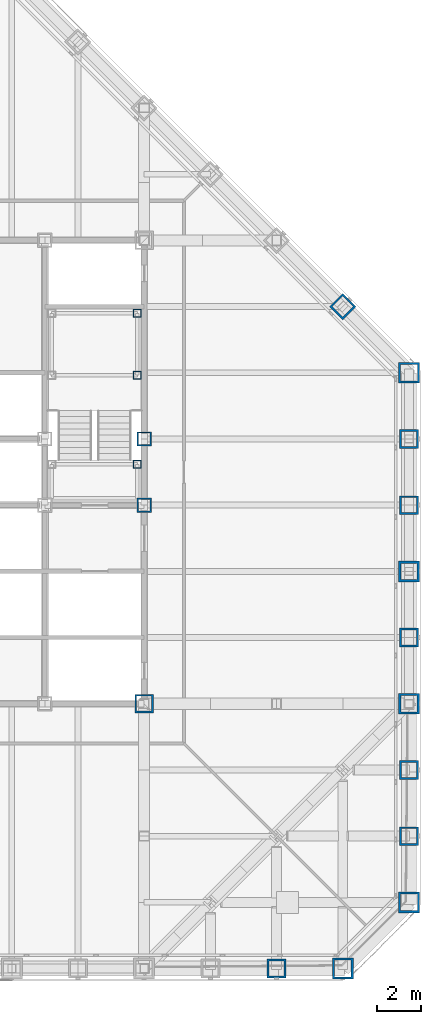
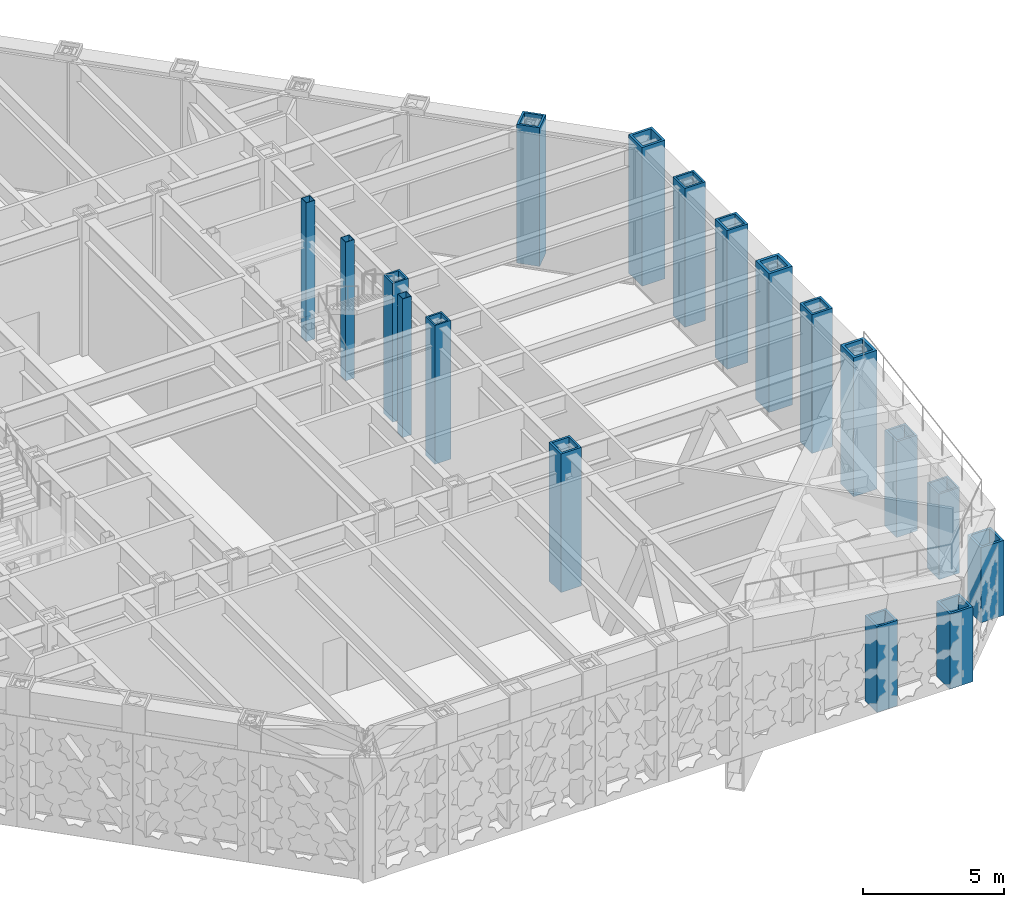
# One storey, part 2 of 28: 18 columns.
"""IFC4 building model written with IfcOpenShell, lengths in metres."""

from ifc_helpers import new_model, si_unit, direction, frame, origin, origin_2d, place, context, subcontext, project, spatial, hollow_rectangle, extrude, material, material_profile, profile_set, type_object, element, save


model = new_model("IFC4")

# Units and contexts
model_context = context("Model", 3, precision=1e-05, world=origin(), true_north=direction((0.0, 1.0)))
body_context = subcontext(model_context, "Body", "Model", "MODEL_VIEW")
ifc_project = project(units=[si_unit("LENGTHUNIT", "METRE"), si_unit("AREAUNIT", "SQUARE_METRE"), si_unit("VOLUMEUNIT", "CUBIC_METRE"), si_unit("PLANEANGLEUNIT", "RADIAN"), si_unit("MASSUNIT", "GRAM", prefix="KILO")], contexts=[model_context])

# Site, building, storey
site_placement = place(None, origin())
site = spatial("IfcSite", under=ifc_project, at=site_placement, CompositionType="ELEMENT")
building_placement = place(site_placement, origin())
building = spatial("IfcBuilding", under=site, at=building_placement, Name="Chuquiago Exchange Tower", CompositionType="ELEMENT")
storey_placement = place(building_placement, frame((0.0, 0.0, 174.0)))
storey = spatial("IfcBuildingStorey", under=building, at=storey_placement, Name="L38", CompositionType="ELEMENT", Elevation=174.0)

# Columns
ifc_material_1 = material(Name="Steel ASTM A572 Grade 50", Category="steel")
ifc_material_profile_1 = material_profile(ifc_material_1, hollow_rectangle(XDim=0.85009765625, YDim=0.85009765625, WallThickness=0.0849609375, at=origin_2d()), Name="BOX850X850X85")
ifc_profile_set_1 = profile_set([ifc_material_profile_1], Name="Steel ASTM A572 Grade 50")
column_type_1 = type_object("IfcColumnType", Name="C6 BOX850X850X85", PredefinedType="COLUMN", material=ifc_profile_set_1)
for number, where, z_axis, x_axis, name in (
    (1, (39.0, 0.0, 0.0), (0.0, 0.0, 1.0), (0.0, -1.0, 0.0), "COL-L38-39_0"),
    (2, (45.0, 6.0, 0.0), (0.0, 0.0, 1.0), (1.0, 0.0, 0.0), "COL-L38-45_6"),
):
    element("IfcColumn", number, at=place(storey_placement, frame(where, z_axis=z_axis, x_axis=x_axis)), inside=storey, type_object=column_type_1, Name=name, PredefinedType="COLUMN", context=body_context, shape_type="SweptSolid", body=[
        extrude(hollow_rectangle(XDim=0.85009765625, YDim=0.85009765625, WallThickness=0.0849609375, at=origin_2d()), origin(), (0.0, 0.0, 1.0), 3.6982421875),
    ])
column_1_placement = place(storey_placement, frame((45.0, 9.0, 0.0), z_axis=(0.0, 0.0, 1.0), x_axis=(1.0, 0.0, 0.0)))
element("IfcColumn", 3, at=column_1_placement, inside=storey, type_object=column_type_1, Name="COL-L38-45_9", PredefinedType="COLUMN", context=body_context, shape_type="SweptSolid", body=[
    extrude(hollow_rectangle(XDim=0.85009765625, YDim=0.85009765625, WallThickness=0.0849609375, at=origin_2d()), origin(), (0.0, 0.0, 1.0), 4.149169921875),
])
for number, where, z_axis, x_axis, name in (
    (4, (45.0, 15.0, 0.0), (0.0, 0.0, 1.0), (1.0, 0.0, 0.0), "COL-L38-45_15"),
    (5, (45.0, 21.0, 0.0), (0.0, 0.0, 1.0), (1.0, 0.0, 0.0), "COL-L38-45_21"),
    (6, (45.0, 24.0, 0.0), (0.0, 0.0, 1.0), (1.0, 0.0, 0.0), "COL-L38-45_24"),
    (7, (42.0, 30.0, 0.0), (0.0, 0.0, 1.0), (0.707106781187, 0.707106781187, 0.0), "COL-L38-42_30"),
):
    element("IfcColumn", number, at=place(storey_placement, frame(where, z_axis=z_axis, x_axis=x_axis)), inside=storey, type_object=column_type_1, Name=name, PredefinedType="COLUMN", context=body_context, shape_type="SweptSolid", body=[
        extrude(hollow_rectangle(XDim=0.85009765625, YDim=0.85009765625, WallThickness=0.0849609375, at=origin_2d()), origin(), (0.0, 0.0, 1.0), 6.0),
    ])
ifc_material_2 = material(Name="Steel ASTM A572 Grade 50", Category="steel")
ifc_material_profile_2 = material_profile(ifc_material_2, hollow_rectangle(XDim=0.85009765625, YDim=0.85009765625, WallThickness=0.0849609375, at=origin_2d()), Name="BOX850X850X85")
ifc_profile_set_2 = profile_set([ifc_material_profile_2], Name="Steel ASTM A572 Grade 50")
column_type_2 = type_object("IfcColumnType", Name="CC6 BOX850X850X85", PredefinedType="COLUMN", material=ifc_profile_set_2)
column_2_placement = place(storey_placement, frame((33.0, 12.0, 0.0), z_axis=(0.0, 0.0, 1.0), x_axis=(1.0, 0.0, 0.0)))
element("IfcColumn", 8, at=column_2_placement, inside=storey, type_object=column_type_2, Name="CCOL-L38-33_12", PredefinedType="COLUMN", context=body_context, shape_type="SweptSolid", body=[
    extrude(hollow_rectangle(XDim=0.85009765625, YDim=0.85009765625, WallThickness=0.0849609375, at=origin_2d()), origin(), (0.0, 0.0, 1.0), 6.0),
])
ifc_material_3 = material(Name="Steel ASTM A572 Grade 50", Category="steel")
ifc_material_profile_3 = material_profile(ifc_material_3, hollow_rectangle(XDim=0.64990234375, YDim=0.64990234375, WallThickness=0.06494140625, at=origin_2d()), Name="BOX650X650X65")
ifc_profile_set_3 = profile_set([ifc_material_profile_3], Name="Steel ASTM A572 Grade 50")
column_type_3 = type_object("IfcColumnType", Name="CC7 BOX650X650X65", PredefinedType="COLUMN", material=ifc_profile_set_3)
for number, where, z_axis, x_axis, name in (
    (9, (33.0, 21.0, 0.0), (0.0, 0.0, 1.0), (1.0, 0.0, 0.0), "CCOL-L38-33_21"),
    (10, (33.0, 24.0, 0.0), (0.0, 0.0, 1.0), (1.0, 0.0, 0.0), "CCOL-L38-33_24"),
):
    element("IfcColumn", number, at=place(storey_placement, frame(where, z_axis=z_axis, x_axis=x_axis)), inside=storey, type_object=column_type_3, Name=name, PredefinedType="COLUMN", context=body_context, shape_type="SweptSolid", body=[
        extrude(hollow_rectangle(XDim=0.64990234375, YDim=0.64990234375, WallThickness=0.06494140625, at=origin_2d()), origin(), (0.0, 0.0, 1.0), 6.0),
    ])
ifc_material_4 = material(Name="Steel ASTM A572 Grade 50", Category="steel")
ifc_material_profile_4 = material_profile(ifc_material_4, hollow_rectangle(XDim=0.949951171875, YDim=0.949951171875, WallThickness=0.094970703125, at=origin_2d()), Name="BOX950X950X95")
ifc_profile_set_4 = profile_set([ifc_material_profile_4], Name="Steel ASTM A572 Grade 50")
column_type_4 = type_object("IfcColumnType", Name="CN1 BOX950X950X95", PredefinedType="COLUMN", material=ifc_profile_set_4)
for number, where, z_axis, x_axis, name in (
    (11, (42.0, 0.0, 0.0), (0.0, 0.0, 1.0), (0.0, -1.0, 0.0), "COL-L38-42_0"),
    (12, (45.0, 3.0, 0.0), (0.0, 0.0, 1.0), (1.0, 0.0, 0.0), "COL-L38-45_3"),
):
    element("IfcColumn", number, at=place(storey_placement, frame(where, z_axis=z_axis, x_axis=x_axis)), inside=storey, type_object=column_type_4, Name=name, PredefinedType="COLUMN", context=body_context, shape_type="SweptSolid", body=[
        extrude(hollow_rectangle(XDim=0.949951171875, YDim=0.949951171875, WallThickness=0.094970703125, at=origin_2d()), origin(), (0.0, 0.0, 1.0), 3.247314453125),
    ])
column_3_placement = place(storey_placement, frame((45.0, 27.0, 0.0), z_axis=(0.0, 0.0, 1.0), x_axis=(1.0, 0.0, 0.0)))
element("IfcColumn", 13, at=column_3_placement, inside=storey, type_object=column_type_4, Name="COL-L38-45_27", PredefinedType="COLUMN", context=body_context, shape_type="SweptSolid", body=[
    extrude(hollow_rectangle(XDim=0.949951171875, YDim=0.949951171875, WallThickness=0.094970703125, at=origin_2d()), origin(), (0.0, 0.0, 1.0), 6.0),
])
ifc_material_5 = material(Name="Steel ASTM A572 Grade 42", Category="steel")
ifc_material_profile_5 = material_profile(ifc_material_5, hollow_rectangle(XDim=0.949951171875, YDim=0.949951171875, WallThickness=0.110107421875, at=origin_2d()), Name="BOX950X950X110")
ifc_profile_set_5 = profile_set([ifc_material_profile_5], Name="Steel ASTM A572 Grade 42")
column_type_5 = type_object("IfcColumnType", Name="CT1 BOX950X950X110", PredefinedType="COLUMN", material=ifc_profile_set_5)
for number, where, z_axis, x_axis, name in (
    (14, (45.0, 12.0, 0.0), (0.0, 0.0, 1.0), (1.0, 0.0, 0.0), "COL-L38-45_12"),
    (15, (45.0, 18.0, 0.0), (0.0, 0.0, 1.0), (1.0, 0.0, 0.0), "COL-L38-45_18"),
):
    element("IfcColumn", number, at=place(storey_placement, frame(where, z_axis=z_axis, x_axis=x_axis)), inside=storey, type_object=column_type_5, Name=name, PredefinedType="COLUMN", context=body_context, shape_type="SweptSolid", body=[
        extrude(hollow_rectangle(XDim=0.949951171875, YDim=0.949951171875, WallThickness=0.110107421875, at=origin_2d()), origin(), (0.0, 0.0, 1.0), 6.0),
    ])
ifc_material_6 = material(Name="Steel ASTM A500 Grade C", Category="steel")
ifc_material_profile_6 = material_profile(ifc_material_6, hollow_rectangle(XDim=0.355712890625, YDim=0.355712890625, WallThickness=0.0146484375, at=origin_2d()), Name="HSS14X14X5/8")
ifc_profile_set_6 = profile_set([ifc_material_profile_6], Name="Steel ASTM A500 Grade C")
column_type_6 = type_object("IfcColumnType", Name="PT2 HSS14X14X5/8", PredefinedType="COLUMN", material=ifc_profile_set_6)
for number, where, z_axis, x_axis, name in (
    (16, (32.68994140625, 29.68994140625, 0.0), (0.0, 0.0, 1.0), (1.0, 0.0, 0.0), "Stair ST2 L38 landing post"),
    (17, (32.68994140625, 26.889892578125, 0.0), (0.0, 0.0, 1.0), (1.0, 0.0, 0.0), "Stair ST2 L38 landing post"),
    (18, (32.68994140625, 22.85009765625, 0.0), (0.0, 0.0, 1.0), (1.0, 0.0, 0.0), "Stair ST2 L38 landing post"),
):
    element("IfcColumn", number, at=place(storey_placement, frame(where, z_axis=z_axis, x_axis=x_axis)), inside=storey, type_object=column_type_6, Name=name, PredefinedType="COLUMN", context=body_context, shape_type="SweptSolid", body=[
        extrude(hollow_rectangle(XDim=0.355712890625, YDim=0.355712890625, WallThickness=0.0146484375, at=origin_2d()), origin(), (0.0, 0.0, 1.0), 6.0),
    ])

save(model, "model.ifc")
